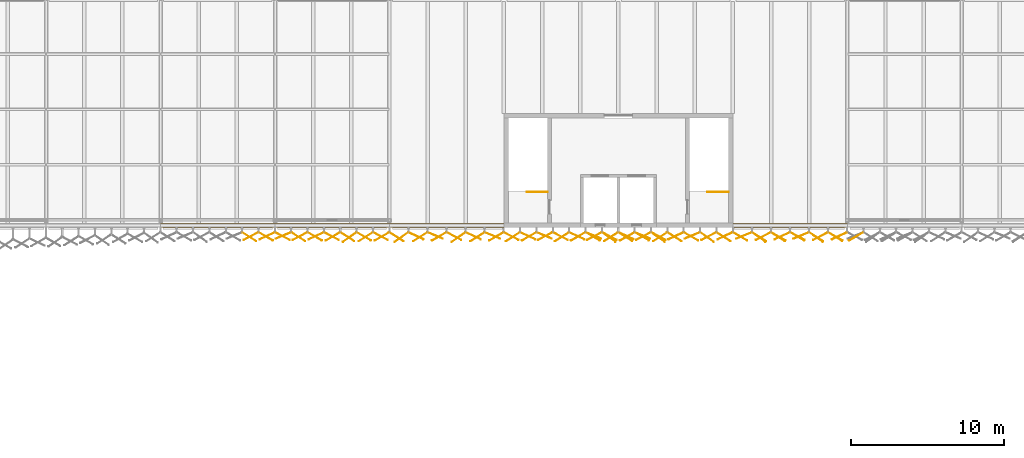
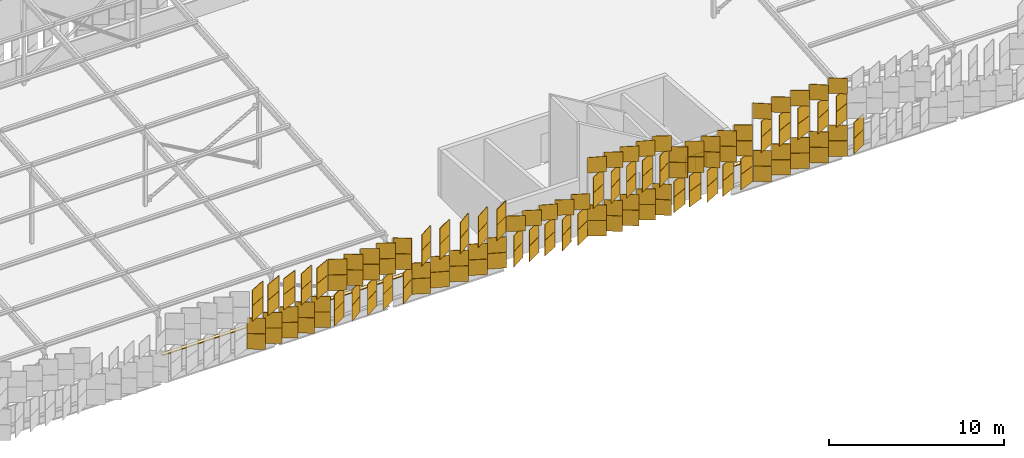
# One storey, part 462 of 483: 151 coverings, 2 railings.
"""IFC4 building model written with IfcOpenShell, lengths in metres."""

from ifc_helpers import new_model, si_unit, direction, frame, origin, origin_2d, place, context, subcontext, project, spatial, polyline, rectangle, circle, outline, extrude, material, layer, layer_set, type_object, element, save


model = new_model("IFC4")

# Units and contexts
model_context = context("Model", 3, precision=1e-05, world=origin(), true_north=direction((0.0, 1.0)))
body_context = subcontext(model_context, "Body", "Model", "MODEL_VIEW")
ifc_project = project(units=[si_unit("LENGTHUNIT", "METRE"), si_unit("AREAUNIT", "SQUARE_METRE"), si_unit("VOLUMEUNIT", "CUBIC_METRE"), si_unit("PLANEANGLEUNIT", "RADIAN"), si_unit("MASSUNIT", "GRAM", prefix="KILO")], contexts=[model_context])

# Site, building, storey
site_placement = place(None, origin())
site = spatial("IfcSite", under=ifc_project, at=site_placement, CompositionType="ELEMENT")
building_placement = place(site_placement, origin())
building = spatial("IfcBuilding", under=site, at=building_placement, Name="Parallax Yard Mobility Hub", CompositionType="ELEMENT")
storey_placement = place(building_placement, frame((0.0, 0.0, 13.199951171875)))
storey = spatial("IfcBuildingStorey", under=building, at=storey_placement, Name="L04", CompositionType="ELEMENT", Elevation=13.199951171875)

# Coverings
ifc_material_1 = material(Name="Concrete fc' 35 MPa", Category="concrete")
ifc_layer_1 = layer(ifc_material_1, 0.06005859375)
ifc_layer_set_1 = layer_set([ifc_layer_1], Name="Parapet coping, Concrete fc' 35 MPa precast, 240")
covering_type_1 = type_object("IfcCoveringType", Name="Parapet coping, Concrete fc' 35 MPa precast, 240", PredefinedType="USERDEFINED", material=ifc_layer_set_1)
covering_1_placement = place(storey_placement, frame((0.0, 0.0, 1.199951171875)))
element("IfcCovering", 1, at=covering_1_placement, inside=storey, type_object=covering_type_1, Name="Parapet coping run 1 part 1", ObjectType="COPING", PredefinedType="USERDEFINED", context=body_context, shape_type="SweptSolid", body=[
    extrude(outline(polyline([(82.5048828125, 112.76611328125), (82.5048828125, 112.52587890625), (90.0, 112.52587890625), (90.0, 112.76611328125), (82.5048828125, 112.76611328125)])), origin(), (0.0, 0.0, 1.0), 0.06005859375),
])
covering_2_placement = place(storey_placement, frame((0.0, 0.0, 1.199951171875)))
element("IfcCovering", 2, at=covering_2_placement, inside=storey, type_object=covering_type_1, Name="Parapet coping run 5 part 11", ObjectType="COPING", PredefinedType="USERDEFINED", context=body_context, shape_type="SweptSolid", body=[
    extrude(outline(polyline([(45.0, 112.76611328125), (45.0, 112.52587890625), (52.5, 112.52587890625), (52.5, 112.76611328125), (45.0, 112.76611328125)])), origin(), (0.0, 0.0, 1.0), 0.06005859375),
])
covering_3_placement = place(storey_placement, frame((0.0, 0.0, 1.199951171875)))
element("IfcCovering", 3, at=covering_3_placement, inside=storey, type_object=covering_type_1, Name="Parapet coping run 5 part 12", ObjectType="COPING", PredefinedType="USERDEFINED", context=body_context, shape_type="SweptSolid", body=[
    extrude(outline(polyline([(52.5, 112.76611328125), (52.5, 112.52587890625), (60.0, 112.52587890625), (60.0, 112.76611328125), (52.5, 112.76611328125)])), origin(), (0.0, 0.0, 1.0), 0.06005859375),
])
covering_4_placement = place(storey_placement, frame((0.0, 0.0, 1.199951171875)))
element("IfcCovering", 4, at=covering_4_placement, inside=storey, type_object=covering_type_1, Name="Parapet coping run 5 part 13", ObjectType="COPING", PredefinedType="USERDEFINED", context=body_context, shape_type="SweptSolid", body=[
    extrude(outline(polyline([(60.0, 112.76611328125), (60.0, 112.52587890625), (67.4951171875, 112.52587890625), (67.4951171875, 112.76611328125), (60.0, 112.76611328125)])), origin(), (0.0, 0.0, 1.0), 0.06005859375),
])
ifc_material_2 = material(Name="Aluminium panel, silver anodised", Category="aluminium")
ifc_layer_2 = layer(ifc_material_2, 0.030029296875)
ifc_layer_set_2 = layer_set([ifc_layer_2], Name="Skin panel 22.5 degree turn, silver anodised")
covering_type_2 = type_object("IfcCoveringType", Name="Skin panel 22.5 degree turn, silver anodised", PredefinedType="CLADDING", material=ifc_layer_set_2)
for number, where, z_axis, x_axis, name in (
    (5, (53.044189453125, 111.987060546875, 2.219970703125), (0.0, 0.0, 1.0), (-0.923879532511, -0.382683432365, 0.0), "Skin panel 22.5 bay 4.1 row 3 level L04"),
    (6, (53.044189453125, 111.987060546875, 3.320068359375), (0.0, 0.0, 1.0), (-0.923879532511, -0.382683432365, 0.0), "Skin panel 22.5 bay 4.1 row 4 level L04"),
    (7, (62.999755859375, 111.987060546875, 0.02001953125), (0.0, 0.0, 1.0), (0.923879532511, -0.382683432365, 0.0), "Skin panel 22.5 bay 5.3 row 1 level L04"),
    (8, (62.999755859375, 111.987060546875, 1.1201171875), (0.0, 0.0, 1.0), (0.923879532511, -0.382683432365, 0.0), "Skin panel 22.5 bay 5.3 row 2 level L04"),
    (9, (66.74755859375, 111.987060546875, 0.02001953125), (0.0, 0.0, 1.0), (0.923879532511, -0.382683432365, 0.0), "Skin panel 22.5 bay 5.6 row 1 level L04"),
    (10, (66.74755859375, 111.987060546875, 1.1201171875), (0.0, 0.0, 1.0), (0.923879532511, -0.382683432365, 0.0), "Skin panel 22.5 bay 5.6 row 2 level L04"),
    (11, (70.141357421875, 111.987060546875, 2.219970703125), (0.0, 0.0, 1.0), (0.923879532511, -0.382683432365, 0.0), "Skin panel 22.5 bay 6.3 row 3 level L04"),
    (12, (73.35791015625, 111.987060546875, 4.419921875), (0.0, 0.0, 1.0), (0.923879532511, -0.382683432365, 0.0), "Skin panel 22.5 bay 6.6 row 5 level L04"),
    (13, (76.57470703125, 111.987060546875, 4.419921875), (0.0, 0.0, 1.0), (0.923879532511, -0.382683432365, 0.0), "Skin panel 22.5 bay 6.9 row 5 level L04"),
    (14, (79.83544921875, 111.987060546875, 0.02001953125), (0.0, 0.0, 1.0), (-0.923879532511, -0.382683432365, 0.0), "Skin panel 22.5 bay 6.12 row 1 level L04"),
    (15, (79.83544921875, 111.987060546875, 1.1201171875), (0.0, 0.0, 1.0), (-0.923879532511, -0.382683432365, 0.0), "Skin panel 22.5 bay 6.12 row 2 level L04"),
    (16, (83.22900390625, 111.987060546875, 0.02001953125), (0.0, 0.0, 1.0), (-0.923879532511, -0.382683432365, 0.0), "Skin panel 22.5 bay 7.1 row 1 level L04"),
    (17, (83.22900390625, 111.987060546875, 1.1201171875), (0.0, 0.0, 1.0), (-0.923879532511, -0.382683432365, 0.0), "Skin panel 22.5 bay 7.1 row 2 level L04"),
    (18, (86.976806640625, 111.987060546875, 2.219970703125), (0.0, 0.0, 1.0), (-0.923879532511, -0.382683432365, 0.0), "Skin panel 22.5 bay 7.4 row 3 level L04"),
    (19, (86.976806640625, 111.987060546875, 3.320068359375), (0.0, 0.0, 1.0), (-0.923879532511, -0.382683432365, 0.0), "Skin panel 22.5 bay 7.4 row 4 level L04"),
):
    element("IfcCovering", number, at=place(storey_placement, frame(where, z_axis=z_axis, x_axis=x_axis)), inside=storey, type_object=covering_type_2, Name=name, ObjectType="SCREEN", PredefinedType="CLADDING", context=body_context, shape_type="SweptSolid", body=[
        extrude(rectangle(XDim=1.080078125, YDim=0.030029296875, at=origin_2d()), origin(), (0.0, 0.0, 1.0), 1.080078125),
    ])
ifc_layer_3 = layer(ifc_material_2, 0.030029296875)
ifc_layer_set_3 = layer_set([ifc_layer_3], Name="Skin panel 25 degree turn, silver anodised")
covering_type_3 = type_object("IfcCoveringType", Name="Skin panel 25 degree turn, silver anodised", PredefinedType="CLADDING", material=ifc_layer_set_3)
for number, where, z_axis, x_axis, name in (
    (20, (51.982666015625, 111.96484375, 2.219970703125), (0.0, 0.0, 1.0), (-0.906307787037, -0.422618261741, 0.0), "Skin panel 25 bay 3.7 row 3 level L04"),
    (21, (51.982666015625, 111.96484375, 3.320068359375), (0.0, 0.0, 1.0), (-0.906307787037, -0.422618261741, 0.0), "Skin panel 25 bay 3.7 row 4 level L04"),
    (22, (55.197021484375, 111.96484375, 2.219970703125), (0.0, 0.0, 1.0), (-0.906307787037, -0.422618261741, 0.0), "Skin panel 25 bay 4.3 row 3 level L04"),
    (23, (55.197021484375, 111.96484375, 3.320068359375), (0.0, 0.0, 1.0), (-0.906307787037, -0.422618261741, 0.0), "Skin panel 25 bay 4.3 row 4 level L04"),
    (24, (61.74072265625, 111.96484375, 0.02001953125), (0.0, 0.0, 1.0), (0.906307787037, -0.422618261741, 0.0), "Skin panel 25 bay 5.2 row 1 level L04"),
    (25, (61.74072265625, 111.96484375, 1.1201171875), (0.0, 0.0, 1.0), (0.906307787037, -0.422618261741, 0.0), "Skin panel 25 bay 5.2 row 2 level L04"),
    (26, (65.488525390625, 111.96484375, 0.02001953125), (0.0, 0.0, 1.0), (0.906307787037, -0.422618261741, 0.0), "Skin panel 25 bay 5.5 row 1 level L04"),
    (27, (65.488525390625, 111.96484375, 1.1201171875), (0.0, 0.0, 1.0), (0.906307787037, -0.422618261741, 0.0), "Skin panel 25 bay 5.5 row 2 level L04"),
    (28, (69.059326171875, 111.96484375, 2.219970703125), (0.0, 0.0, 1.0), (0.906307787037, -0.422618261741, 0.0), "Skin panel 25 bay 6.2 row 3 level L04"),
    (29, (72.27587890625, 111.96484375, 2.219970703125), (0.0, 0.0, 1.0), (0.906307787037, -0.422618261741, 0.0), "Skin panel 25 bay 6.5 row 3 level L04"),
    (30, (75.49267578125, 111.96484375, 4.419921875), (0.0, 0.0, 1.0), (0.906307787037, -0.422618261741, 0.0), "Skin panel 25 bay 6.8 row 5 level L04"),
    (31, (78.77294921875, 111.96484375, 0.02001953125), (0.0, 0.0, 1.0), (-0.906307787037, -0.422618261741, 0.0), "Skin panel 25 bay 6.11 row 1 level L04"),
    (32, (78.77294921875, 111.96484375, 1.1201171875), (0.0, 0.0, 1.0), (-0.906307787037, -0.422618261741, 0.0), "Skin panel 25 bay 6.11 row 2 level L04"),
    (33, (81.98974609375, 111.96484375, 0.02001953125), (0.0, 0.0, 1.0), (-0.906307787037, -0.422618261741, 0.0), "Skin panel 25 bay 6.14 row 1 level L04"),
    (34, (81.98974609375, 111.96484375, 1.1201171875), (0.0, 0.0, 1.0), (-0.906307787037, -0.422618261741, 0.0), "Skin panel 25 bay 6.14 row 2 level L04"),
    (35, (85.7373046875, 111.96484375, 2.219970703125), (0.0, 0.0, 1.0), (-0.906307787037, -0.422618261741, 0.0), "Skin panel 25 bay 7.3 row 3 level L04"),
    (36, (85.7373046875, 111.96484375, 3.320068359375), (0.0, 0.0, 1.0), (-0.906307787037, -0.422618261741, 0.0), "Skin panel 25 bay 7.3 row 4 level L04"),
    (37, (89.485107421875, 111.96484375, 2.219970703125), (0.0, 0.0, 1.0), (-0.906307787037, -0.422618261741, 0.0), "Skin panel 25 bay 7.6 row 3 level L04"),
    (38, (89.485107421875, 111.96484375, 3.320068359375), (0.0, 0.0, 1.0), (-0.906307787037, -0.422618261741, 0.0), "Skin panel 25 bay 7.6 row 4 level L04"),
):
    element("IfcCovering", number, at=place(storey_placement, frame(where, z_axis=z_axis, x_axis=x_axis)), inside=storey, type_object=covering_type_3, Name=name, ObjectType="SCREEN", PredefinedType="CLADDING", context=body_context, shape_type="SweptSolid", body=[
        extrude(rectangle(XDim=1.080078125, YDim=0.030029296875, at=origin_2d()), origin(), (0.0, 0.0, 1.0), 1.080078125),
    ])
ifc_layer_4 = layer(ifc_material_2, 0.030029296875)
ifc_layer_set_4 = layer_set([ifc_layer_4], Name="Skin panel 27.5 degree turn, silver anodised")
covering_type_4 = type_object("IfcCoveringType", Name="Skin panel 27.5 degree turn, silver anodised", PredefinedType="CLADDING", material=ifc_layer_set_4)
for number, where, z_axis, x_axis, name in (
    (39, (50.921875, 111.943115234375, 2.219970703125), (0.0, 0.0, 1.0), (-0.887010833178, -0.461748613235, 0.0), "Skin panel 27.5 bay 3.6 row 3 level L04"),
    (40, (50.921875, 111.943115234375, 3.320068359375), (0.0, 0.0, 1.0), (-0.887010833178, -0.461748613235, 0.0), "Skin panel 27.5 bay 3.6 row 4 level L04"),
    (41, (52.980224609375, 111.943115234375, 0.02001953125), (0.0, 0.0, 1.0), (0.887010833178, -0.461748613235, 0.0), "Skin panel 27.5 bay 4.1 row 1 level L04"),
    (42, (52.980224609375, 111.943115234375, 1.1201171875), (0.0, 0.0, 1.0), (0.887010833178, -0.461748613235, 0.0), "Skin panel 27.5 bay 4.1 row 2 level L04"),
    (43, (54.13623046875, 111.943115234375, 2.219970703125), (0.0, 0.0, 1.0), (-0.887010833178, -0.461748613235, 0.0), "Skin panel 27.5 bay 4.2 row 3 level L04"),
    (44, (54.13623046875, 111.943115234375, 3.320068359375), (0.0, 0.0, 1.0), (-0.887010833178, -0.461748613235, 0.0), "Skin panel 27.5 bay 4.2 row 4 level L04"),
    (45, (56.19482421875, 111.943115234375, 2.219970703125), (0.0, 0.0, 1.0), (0.887010833178, -0.461748613235, 0.0), "Skin panel 27.5 bay 4.4 row 3 level L04"),
    (46, (56.19482421875, 111.943115234375, 3.320068359375), (0.0, 0.0, 1.0), (0.887010833178, -0.461748613235, 0.0), "Skin panel 27.5 bay 4.4 row 4 level L04"),
    (47, (59.4091796875, 111.943115234375, 2.219970703125), (0.0, 0.0, 1.0), (0.887010833178, -0.461748613235, 0.0), "Skin panel 27.5 bay 4.7 row 3 level L04"),
    (48, (59.4091796875, 111.943115234375, 3.320068359375), (0.0, 0.0, 1.0), (0.887010833178, -0.461748613235, 0.0), "Skin panel 27.5 bay 4.7 row 4 level L04"),
    (49, (64.228515625, 111.943115234375, 0.02001953125), (0.0, 0.0, 1.0), (0.887010833178, -0.461748613235, 0.0), "Skin panel 27.5 bay 5.4 row 1 level L04"),
    (50, (64.228515625, 111.943115234375, 1.1201171875), (0.0, 0.0, 1.0), (0.887010833178, -0.461748613235, 0.0), "Skin panel 27.5 bay 5.4 row 2 level L04"),
    (51, (67.976318359375, 111.943115234375, 2.219970703125), (0.0, 0.0, 1.0), (0.887010833178, -0.461748613235, 0.0), "Skin panel 27.5 bay 6.1 row 3 level L04"),
    (52, (70.2060546875, 111.943115234375, 0.02001953125), (0.0, 0.0, 1.0), (-0.887010833178, -0.461748613235, 0.0), "Skin panel 27.5 bay 6.3 row 1 level L04"),
    (53, (70.2060546875, 111.943115234375, 1.1201171875), (0.0, 0.0, 1.0), (-0.887010833178, -0.461748613235, 0.0), "Skin panel 27.5 bay 6.3 row 2 level L04"),
    (54, (71.193115234375, 111.943115234375, 2.219970703125), (0.0, 0.0, 1.0), (0.887010833178, -0.461748613235, 0.0), "Skin panel 27.5 bay 6.4 row 3 level L04"),
    (55, (73.422607421875, 111.943115234375, 2.219970703125), (0.0, 0.0, 1.0), (-0.887010833178, -0.461748613235, 0.0), "Skin panel 27.5 bay 6.6 row 3 level L04"),
    (56, (73.422607421875, 111.943115234375, 3.320068359375), (0.0, 0.0, 1.0), (-0.887010833178, -0.461748613235, 0.0), "Skin panel 27.5 bay 6.6 row 4 level L04"),
    (57, (74.40966796875, 111.943115234375, 4.419921875), (0.0, 0.0, 1.0), (0.887010833178, -0.461748613235, 0.0), "Skin panel 27.5 bay 6.7 row 5 level L04"),
    (58, (76.639404296875, 111.943115234375, 2.219970703125), (0.0, 0.0, 1.0), (-0.887010833178, -0.461748613235, 0.0), "Skin panel 27.5 bay 6.9 row 3 level L04"),
    (59, (76.639404296875, 111.943115234375, 3.320068359375), (0.0, 0.0, 1.0), (-0.887010833178, -0.461748613235, 0.0), "Skin panel 27.5 bay 6.9 row 4 level L04"),
    (60, (77.626220703125, 111.943115234375, 4.419921875), (0.0, 0.0, 1.0), (0.887010833178, -0.461748613235, 0.0), "Skin panel 27.5 bay 6.10 row 5 level L04"),
    (61, (80.92822265625, 111.943115234375, 0.02001953125), (0.0, 0.0, 1.0), (-0.887010833178, -0.461748613235, 0.0), "Skin panel 27.5 bay 6.13 row 1 level L04"),
    (62, (80.92822265625, 111.943115234375, 1.1201171875), (0.0, 0.0, 1.0), (-0.887010833178, -0.461748613235, 0.0), "Skin panel 27.5 bay 6.13 row 2 level L04"),
    (63, (84.498779296875, 111.943115234375, 2.219970703125), (0.0, 0.0, 1.0), (-0.887010833178, -0.461748613235, 0.0), "Skin panel 27.5 bay 7.2 row 3 level L04"),
    (64, (84.498779296875, 111.943115234375, 3.320068359375), (0.0, 0.0, 1.0), (-0.887010833178, -0.461748613235, 0.0), "Skin panel 27.5 bay 7.2 row 4 level L04"),
    (65, (86.735107421875, 111.943115234375, 0.02001953125), (0.0, 0.0, 1.0), (0.887010833178, -0.461748613235, 0.0), "Skin panel 27.5 bay 7.4 row 1 level L04"),
    (66, (86.735107421875, 111.943115234375, 1.1201171875), (0.0, 0.0, 1.0), (0.887010833178, -0.461748613235, 0.0), "Skin panel 27.5 bay 7.4 row 2 level L04"),
    (67, (88.24658203125, 111.943115234375, 2.219970703125), (0.0, 0.0, 1.0), (-0.887010833178, -0.461748613235, 0.0), "Skin panel 27.5 bay 7.5 row 3 level L04"),
    (68, (88.24658203125, 111.943115234375, 3.320068359375), (0.0, 0.0, 1.0), (-0.887010833178, -0.461748613235, 0.0), "Skin panel 27.5 bay 7.5 row 4 level L04"),
):
    element("IfcCovering", number, at=place(storey_placement, frame(where, z_axis=z_axis, x_axis=x_axis)), inside=storey, type_object=covering_type_4, Name=name, ObjectType="SCREEN", PredefinedType="CLADDING", context=body_context, shape_type="SweptSolid", body=[
        extrude(rectangle(XDim=1.080078125, YDim=0.030029296875, at=origin_2d()), origin(), (0.0, 0.0, 1.0), 1.080078125),
    ])
ifc_layer_5 = layer(ifc_material_2, 0.030029296875)
ifc_layer_set_5 = layer_set([ifc_layer_5], Name="Skin panel 30 degree turn, silver anodised")
covering_type_5 = type_object("IfcCoveringType", Name="Skin panel 30 degree turn, silver anodised", PredefinedType="CLADDING", material=ifc_layer_set_5)
for number, where, z_axis, x_axis, name in (
    (69, (51.897216796875, 111.921875, 0.02001953125), (0.0, 0.0, 1.0), (0.866025403784, -0.5, 0.0), "Skin panel 30 bay 3.7 row 1 level L04"),
    (70, (51.897216796875, 111.921875, 1.1201171875), (0.0, 0.0, 1.0), (0.866025403784, -0.5, 0.0), "Skin panel 30 bay 3.7 row 2 level L04"),
    (71, (55.111572265625, 111.921875, 0.02001953125), (0.0, 0.0, 1.0), (0.866025403784, -0.5, 0.0), "Skin panel 30 bay 4.3 row 1 level L04"),
    (72, (55.111572265625, 111.921875, 1.1201171875), (0.0, 0.0, 1.0), (0.866025403784, -0.5, 0.0), "Skin panel 30 bay 4.3 row 2 level L04"),
    (73, (56.291015625, 111.921875, 0.02001953125), (0.0, 0.0, 1.0), (-0.866025403784, -0.5, 0.0), "Skin panel 30 bay 4.4 row 1 level L04"),
    (74, (56.291015625, 111.921875, 1.1201171875), (0.0, 0.0, 1.0), (-0.866025403784, -0.5, 0.0), "Skin panel 30 bay 4.4 row 2 level L04"),
    (75, (58.326171875, 111.921875, 2.219970703125), (0.0, 0.0, 1.0), (0.866025403784, -0.5, 0.0), "Skin panel 30 bay 4.6 row 3 level L04"),
    (76, (58.326171875, 111.921875, 3.320068359375), (0.0, 0.0, 1.0), (0.866025403784, -0.5, 0.0), "Skin panel 30 bay 4.6 row 4 level L04"),
    (77, (59.505615234375, 111.921875, 0.02001953125), (0.0, 0.0, 1.0), (-0.866025403784, -0.5, 0.0), "Skin panel 30 bay 4.7 row 1 level L04"),
    (78, (59.505615234375, 111.921875, 1.1201171875), (0.0, 0.0, 1.0), (-0.866025403784, -0.5, 0.0), "Skin panel 30 bay 4.7 row 2 level L04"),
    (79, (63.25341796875, 111.921875, 2.219970703125), (0.0, 0.0, 1.0), (-0.866025403784, -0.5, 0.0), "Skin panel 30 bay 5.3 row 3 level L04"),
    (80, (63.25341796875, 111.921875, 3.320068359375), (0.0, 0.0, 1.0), (-0.866025403784, -0.5, 0.0), "Skin panel 30 bay 5.3 row 4 level L04"),
    (81, (67.0009765625, 111.921875, 2.219970703125), (0.0, 0.0, 1.0), (-0.866025403784, -0.5, 0.0), "Skin panel 30 bay 5.6 row 3 level L04"),
    (82, (67.0009765625, 111.921875, 3.320068359375), (0.0, 0.0, 1.0), (-0.866025403784, -0.5, 0.0), "Skin panel 30 bay 5.6 row 4 level L04"),
    (83, (69.1455078125, 111.921875, 0.02001953125), (0.0, 0.0, 1.0), (-0.866025403784, -0.5, 0.0), "Skin panel 30 bay 6.2 row 1 level L04"),
    (84, (69.1455078125, 111.921875, 1.1201171875), (0.0, 0.0, 1.0), (-0.866025403784, -0.5, 0.0), "Skin panel 30 bay 6.2 row 2 level L04"),
    (85, (72.362060546875, 111.921875, 0.02001953125), (0.0, 0.0, 1.0), (-0.866025403784, -0.5, 0.0), "Skin panel 30 bay 6.5 row 1 level L04"),
    (86, (72.362060546875, 111.921875, 1.1201171875), (0.0, 0.0, 1.0), (-0.866025403784, -0.5, 0.0), "Skin panel 30 bay 6.5 row 2 level L04"),
    (87, (73.32568359375, 111.921875, 0.02001953125), (0.0, 0.0, 1.0), (0.866025403784, -0.5, 0.0), "Skin panel 30 bay 6.6 row 1 level L04"),
    (88, (73.32568359375, 111.921875, 1.1201171875), (0.0, 0.0, 1.0), (0.866025403784, -0.5, 0.0), "Skin panel 30 bay 6.6 row 2 level L04"),
    (89, (75.578857421875, 111.921875, 2.219970703125), (0.0, 0.0, 1.0), (-0.866025403784, -0.5, 0.0), "Skin panel 30 bay 6.8 row 3 level L04"),
    (90, (75.578857421875, 111.921875, 3.320068359375), (0.0, 0.0, 1.0), (-0.866025403784, -0.5, 0.0), "Skin panel 30 bay 6.8 row 4 level L04"),
    (91, (76.54248046875, 111.921875, 0.02001953125), (0.0, 0.0, 1.0), (0.866025403784, -0.5, 0.0), "Skin panel 30 bay 6.9 row 1 level L04"),
    (92, (76.54248046875, 111.921875, 1.1201171875), (0.0, 0.0, 1.0), (0.866025403784, -0.5, 0.0), "Skin panel 30 bay 6.9 row 2 level L04"),
    (93, (79.759033203125, 111.921875, 2.219970703125), (0.0, 0.0, 1.0), (0.866025403784, -0.5, 0.0), "Skin panel 30 bay 6.12 row 3 level L04"),
    (94, (79.759033203125, 111.921875, 3.320068359375), (0.0, 0.0, 1.0), (0.866025403784, -0.5, 0.0), "Skin panel 30 bay 6.12 row 4 level L04"),
    (95, (82.9755859375, 111.921875, 2.219970703125), (0.0, 0.0, 1.0), (0.866025403784, -0.5, 0.0), "Skin panel 30 bay 7.1 row 3 level L04"),
    (96, (82.9755859375, 111.921875, 3.320068359375), (0.0, 0.0, 1.0), (0.866025403784, -0.5, 0.0), "Skin panel 30 bay 7.1 row 4 level L04"),
    (97, (85.47412109375, 111.921875, 0.02001953125), (0.0, 0.0, 1.0), (0.866025403784, -0.5, 0.0), "Skin panel 30 bay 7.3 row 1 level L04"),
    (98, (85.47412109375, 111.921875, 1.1201171875), (0.0, 0.0, 1.0), (0.866025403784, -0.5, 0.0), "Skin panel 30 bay 7.3 row 2 level L04"),
    (99, (86.723388671875, 111.921875, 4.419921875), (0.0, 0.0, 1.0), (0.866025403784, -0.5, 0.0), "Skin panel 30 bay 7.4 row 5 level L04"),
    (100, (89.221923828125, 111.921875, 0.02001953125), (0.0, 0.0, 1.0), (0.866025403784, -0.5, 0.0), "Skin panel 30 bay 7.6 row 1 level L04"),
    (101, (89.221923828125, 111.921875, 1.1201171875), (0.0, 0.0, 1.0), (0.866025403784, -0.5, 0.0), "Skin panel 30 bay 7.6 row 2 level L04"),
    (102, (90.5791015625, 111.921875, 0.02001953125), (0.0, 0.0, 1.0), (-0.866025403784, -0.5, 0.0), "Skin panel 30 bay 8.1 row 1 level L04"),
    (103, (90.5791015625, 111.921875, 1.1201171875), (0.0, 0.0, 1.0), (-0.866025403784, -0.5, 0.0), "Skin panel 30 bay 8.1 row 2 level L04"),
):
    element("IfcCovering", number, at=place(storey_placement, frame(where, z_axis=z_axis, x_axis=x_axis)), inside=storey, type_object=covering_type_5, Name=name, ObjectType="SCREEN", PredefinedType="CLADDING", context=body_context, shape_type="SweptSolid", body=[
        extrude(rectangle(XDim=1.080078125, YDim=0.030029296875, at=origin_2d()), origin(), (0.0, 0.0, 1.0), 1.080078125),
    ])
ifc_layer_6 = layer(ifc_material_2, 0.030029296875)
ifc_layer_set_6 = layer_set([ifc_layer_6], Name="Skin panel 32.5 degree turn, silver anodised")
covering_type_6 = type_object("IfcCoveringType", Name="Skin panel 32.5 degree turn, silver anodised", PredefinedType="CLADDING", material=ifc_layer_set_6)
for number, where, z_axis, x_axis, name in (
    (104, (50.81298828125, 111.901123046875, 0.02001953125), (0.0, 0.0, 1.0), (0.843391445813, -0.537299608347, 0.0), "Skin panel 32.5 bay 3.6 row 1 level L04"),
    (105, (50.81298828125, 111.901123046875, 1.1201171875), (0.0, 0.0, 1.0), (0.843391445813, -0.537299608347, 0.0), "Skin panel 32.5 bay 3.6 row 2 level L04"),
    (106, (54.027587890625, 111.901123046875, 0.02001953125), (0.0, 0.0, 1.0), (0.843391445813, -0.537299608347, 0.0), "Skin panel 32.5 bay 4.2 row 1 level L04"),
    (107, (54.027587890625, 111.901123046875, 1.1201171875), (0.0, 0.0, 1.0), (0.843391445813, -0.537299608347, 0.0), "Skin panel 32.5 bay 4.2 row 2 level L04"),
    (108, (57.241943359375, 111.901123046875, 2.219970703125), (0.0, 0.0, 1.0), (0.843391445813, -0.537299608347, 0.0), "Skin panel 32.5 bay 4.5 row 3 level L04"),
    (109, (57.241943359375, 111.901123046875, 3.320068359375), (0.0, 0.0, 1.0), (0.843391445813, -0.537299608347, 0.0), "Skin panel 32.5 bay 4.5 row 4 level L04"),
    (110, (58.446533203125, 111.901123046875, 0.02001953125), (0.0, 0.0, 1.0), (-0.843391445813, -0.537299608347, 0.0), "Skin panel 32.5 bay 4.6 row 1 level L04"),
    (111, (58.446533203125, 111.901123046875, 1.1201171875), (0.0, 0.0, 1.0), (-0.843391445813, -0.537299608347, 0.0), "Skin panel 32.5 bay 4.6 row 2 level L04"),
    (112, (60.45654296875, 111.901123046875, 2.219970703125), (0.0, 0.0, 1.0), (0.843391445813, -0.537299608347, 0.0), "Skin panel 32.5 bay 5.1 row 3 level L04"),
    (113, (60.45654296875, 111.901123046875, 3.320068359375), (0.0, 0.0, 1.0), (0.843391445813, -0.537299608347, 0.0), "Skin panel 32.5 bay 5.1 row 4 level L04"),
    (114, (62.0166015625, 111.901123046875, 2.219970703125), (0.0, 0.0, 1.0), (-0.843391445813, -0.537299608347, 0.0), "Skin panel 32.5 bay 5.2 row 3 level L04"),
    (115, (62.0166015625, 111.901123046875, 3.320068359375), (0.0, 0.0, 1.0), (-0.843391445813, -0.537299608347, 0.0), "Skin panel 32.5 bay 5.2 row 4 level L04"),
    (116, (65.764404296875, 111.901123046875, 2.219970703125), (0.0, 0.0, 1.0), (-0.843391445813, -0.537299608347, 0.0), "Skin panel 32.5 bay 5.5 row 3 level L04"),
    (117, (65.764404296875, 111.901123046875, 3.320068359375), (0.0, 0.0, 1.0), (-0.843391445813, -0.537299608347, 0.0), "Skin panel 32.5 bay 5.5 row 4 level L04"),
    (118, (68.085693359375, 111.901123046875, 0.02001953125), (0.0, 0.0, 1.0), (-0.843391445813, -0.537299608347, 0.0), "Skin panel 32.5 bay 6.1 row 1 level L04"),
    (119, (68.085693359375, 111.901123046875, 1.1201171875), (0.0, 0.0, 1.0), (-0.843391445813, -0.537299608347, 0.0), "Skin panel 32.5 bay 6.1 row 2 level L04"),
    (120, (71.302490234375, 111.901123046875, 0.02001953125), (0.0, 0.0, 1.0), (-0.843391445813, -0.537299608347, 0.0), "Skin panel 32.5 bay 6.4 row 1 level L04"),
    (121, (71.302490234375, 111.901123046875, 1.1201171875), (0.0, 0.0, 1.0), (-0.843391445813, -0.537299608347, 0.0), "Skin panel 32.5 bay 6.4 row 2 level L04"),
    (122, (74.51904296875, 111.901123046875, 2.219970703125), (0.0, 0.0, 1.0), (-0.843391445813, -0.537299608347, 0.0), "Skin panel 32.5 bay 6.7 row 3 level L04"),
    (123, (74.51904296875, 111.901123046875, 3.320068359375), (0.0, 0.0, 1.0), (-0.843391445813, -0.537299608347, 0.0), "Skin panel 32.5 bay 6.7 row 4 level L04"),
    (124, (75.45751953125, 111.901123046875, 0.02001953125), (0.0, 0.0, 1.0), (0.843391445813, -0.537299608347, 0.0), "Skin panel 32.5 bay 6.8 row 1 level L04"),
    (125, (75.45751953125, 111.901123046875, 1.1201171875), (0.0, 0.0, 1.0), (0.843391445813, -0.537299608347, 0.0), "Skin panel 32.5 bay 6.8 row 2 level L04"),
    (126, (77.73583984375, 111.901123046875, 2.219970703125), (0.0, 0.0, 1.0), (-0.843391445813, -0.537299608347, 0.0), "Skin panel 32.5 bay 6.10 row 3 level L04"),
    (127, (77.73583984375, 111.901123046875, 3.320068359375), (0.0, 0.0, 1.0), (-0.843391445813, -0.537299608347, 0.0), "Skin panel 32.5 bay 6.10 row 4 level L04"),
    (128, (78.67431640625, 111.901123046875, 2.219970703125), (0.0, 0.0, 1.0), (0.843391445813, -0.537299608347, 0.0), "Skin panel 32.5 bay 6.11 row 3 level L04"),
    (129, (78.67431640625, 111.901123046875, 3.320068359375), (0.0, 0.0, 1.0), (0.843391445813, -0.537299608347, 0.0), "Skin panel 32.5 bay 6.11 row 4 level L04"),
    (130, (81.890869140625, 111.901123046875, 2.219970703125), (0.0, 0.0, 1.0), (0.843391445813, -0.537299608347, 0.0), "Skin panel 32.5 bay 6.14 row 3 level L04"),
    (131, (81.890869140625, 111.901123046875, 3.320068359375), (0.0, 0.0, 1.0), (0.843391445813, -0.537299608347, 0.0), "Skin panel 32.5 bay 6.14 row 4 level L04"),
    (132, (84.21240234375, 111.901123046875, 0.02001953125), (0.0, 0.0, 1.0), (0.843391445813, -0.537299608347, 0.0), "Skin panel 32.5 bay 7.2 row 1 level L04"),
    (133, (84.21240234375, 111.901123046875, 1.1201171875), (0.0, 0.0, 1.0), (0.843391445813, -0.537299608347, 0.0), "Skin panel 32.5 bay 7.2 row 2 level L04"),
    (134, (85.461669921875, 111.901123046875, 4.419921875), (0.0, 0.0, 1.0), (0.843391445813, -0.537299608347, 0.0), "Skin panel 32.5 bay 7.3 row 5 level L04"),
    (135, (87.960205078125, 111.901123046875, 0.02001953125), (0.0, 0.0, 1.0), (0.843391445813, -0.537299608347, 0.0), "Skin panel 32.5 bay 7.5 row 1 level L04"),
    (136, (87.960205078125, 111.901123046875, 1.1201171875), (0.0, 0.0, 1.0), (0.843391445813, -0.537299608347, 0.0), "Skin panel 32.5 bay 7.5 row 2 level L04"),
    (137, (89.20947265625, 111.901123046875, 4.419921875), (0.0, 0.0, 1.0), (0.843391445813, -0.537299608347, 0.0), "Skin panel 32.5 bay 7.6 row 5 level L04"),
):
    element("IfcCovering", number, at=place(storey_placement, frame(where, z_axis=z_axis, x_axis=x_axis)), inside=storey, type_object=covering_type_6, Name=name, ObjectType="SCREEN", PredefinedType="CLADDING", context=body_context, shape_type="SweptSolid", body=[
        extrude(rectangle(XDim=1.080078125, YDim=0.030029296875, at=origin_2d()), origin(), (0.0, 0.0, 1.0), 1.080078125),
    ])
ifc_layer_7 = layer(ifc_material_2, 0.030029296875)
ifc_layer_set_7 = layer_set([ifc_layer_7], Name="Skin panel 35 degree turn, silver anodised")
covering_type_7 = type_object("IfcCoveringType", Name="Skin panel 35 degree turn, silver anodised", PredefinedType="CLADDING", material=ifc_layer_set_7)
for number, where, z_axis, x_axis, name in (
    (138, (57.388671875, 111.880859375, 0.02001953125), (0.0, 0.0, 1.0), (-0.819152044289, -0.573576436351, 0.0), "Skin panel 35 bay 4.5 row 1 level L04"),
    (139, (57.388671875, 111.880859375, 1.1201171875), (0.0, 0.0, 1.0), (-0.819152044289, -0.573576436351, 0.0), "Skin panel 35 bay 4.5 row 2 level L04"),
    (140, (60.78076171875, 111.880859375, 0.02001953125), (0.0, 0.0, 1.0), (-0.819152044289, -0.573576436351, 0.0), "Skin panel 35 bay 5.1 row 1 level L04"),
    (141, (60.78076171875, 111.880859375, 1.1201171875), (0.0, 0.0, 1.0), (-0.819152044289, -0.573576436351, 0.0), "Skin panel 35 bay 5.1 row 2 level L04"),
    (142, (64.528564453125, 111.880859375, 2.219970703125), (0.0, 0.0, 1.0), (-0.819152044289, -0.573576436351, 0.0), "Skin panel 35 bay 5.4 row 3 level L04"),
    (143, (64.528564453125, 111.880859375, 3.320068359375), (0.0, 0.0, 1.0), (-0.819152044289, -0.573576436351, 0.0), "Skin panel 35 bay 5.4 row 4 level L04"),
    (144, (74.371826171875, 111.880859375, 0.02001953125), (0.0, 0.0, 1.0), (0.819152044289, -0.573576436351, 0.0), "Skin panel 35 bay 6.7 row 1 level L04"),
    (145, (74.371826171875, 111.880859375, 1.1201171875), (0.0, 0.0, 1.0), (0.819152044289, -0.573576436351, 0.0), "Skin panel 35 bay 6.7 row 2 level L04"),
    (146, (77.58837890625, 111.880859375, 0.02001953125), (0.0, 0.0, 1.0), (0.819152044289, -0.573576436351, 0.0), "Skin panel 35 bay 6.10 row 1 level L04"),
    (147, (77.58837890625, 111.880859375, 1.1201171875), (0.0, 0.0, 1.0), (0.819152044289, -0.573576436351, 0.0), "Skin panel 35 bay 6.10 row 2 level L04"),
    (148, (80.80517578125, 111.880859375, 2.219970703125), (0.0, 0.0, 1.0), (0.819152044289, -0.573576436351, 0.0), "Skin panel 35 bay 6.13 row 3 level L04"),
    (149, (80.80517578125, 111.880859375, 3.320068359375), (0.0, 0.0, 1.0), (0.819152044289, -0.573576436351, 0.0), "Skin panel 35 bay 6.13 row 4 level L04"),
    (150, (84.198974609375, 111.880859375, 4.419921875), (0.0, 0.0, 1.0), (0.819152044289, -0.573576436351, 0.0), "Skin panel 35 bay 7.2 row 5 level L04"),
    (151, (87.946533203125, 111.880859375, 4.419921875), (0.0, 0.0, 1.0), (0.819152044289, -0.573576436351, 0.0), "Skin panel 35 bay 7.5 row 5 level L04"),
):
    element("IfcCovering", number, at=place(storey_placement, frame(where, z_axis=z_axis, x_axis=x_axis)), inside=storey, type_object=covering_type_7, Name=name, ObjectType="SCREEN", PredefinedType="CLADDING", context=body_context, shape_type="SweptSolid", body=[
        extrude(rectangle(XDim=1.080078125, YDim=0.030029296875, at=origin_2d()), origin(), (0.0, 0.0, 1.0), 1.080078125),
    ])

# Railings
ifc_material_3 = material(Name="Steel ASTM A36", Category="steel")
railing_type = type_object("IfcRailingType", Name="Stair guard 1100", PredefinedType="GUARDRAIL", material=ifc_material_3)
railing_1_placement = place(storey_placement, frame((82.199951171875, 114.85009765625, 0.0)))
element("IfcRailing", 152, at=railing_1_placement, inside=storey, type_object=railing_type, Name="L04 ST3 top well guard 1", PredefinedType="GUARDRAIL", context=body_context, shape_type="SweptSolid", body=[
    extrude(circle(Radius=0.02392578125, at=origin_2d()), frame((0.0, 0.0, 1.076171875), z_axis=(-1.0, 0.0, 0.0), x_axis=(0.0, -1.0, 0.0)), (0.0, 0.0, 1.0), 1.349853515625),
    extrude(circle(Radius=0.02099609375, at=origin_2d()), origin(), (0.0, 0.0, 1.0), 1.052001953125),
    extrude(circle(Radius=0.02099609375, at=origin_2d()), frame((-0.6748046875, 0.0, 0.0)), (0.0, 0.0, 1.0), 1.052001953125),
    extrude(circle(Radius=0.02099609375, at=origin_2d()), frame((-1.349853515625, 0.0, 0.0)), (0.0, 0.0, 1.0), 1.052001953125),
])
railing_2_placement = place(storey_placement, frame((70.35009765625, 114.85009765625, 0.0)))
element("IfcRailing", 153, at=railing_2_placement, inside=storey, type_object=railing_type, Name="L04 ST4 top well guard 1", PredefinedType="GUARDRAIL", context=body_context, shape_type="SweptSolid", body=[
    extrude(circle(Radius=0.02392578125, at=origin_2d()), frame((0.0, 0.0, 1.076171875), z_axis=(-1.0, 0.0, 0.0), x_axis=(0.0, -1.0, 0.0)), (0.0, 0.0, 1.0), 1.35009765625),
    extrude(circle(Radius=0.02099609375, at=origin_2d()), origin(), (0.0, 0.0, 1.0), 1.052001953125),
    extrude(circle(Radius=0.02099609375, at=origin_2d()), frame((-0.675048828125, 0.0, 0.0)), (0.0, 0.0, 1.0), 1.052001953125),
    extrude(circle(Radius=0.02099609375, at=origin_2d()), frame((-1.35009765625, 0.0, 0.0)), (0.0, 0.0, 1.0), 1.052001953125),
])

save(model, "model.ifc")
